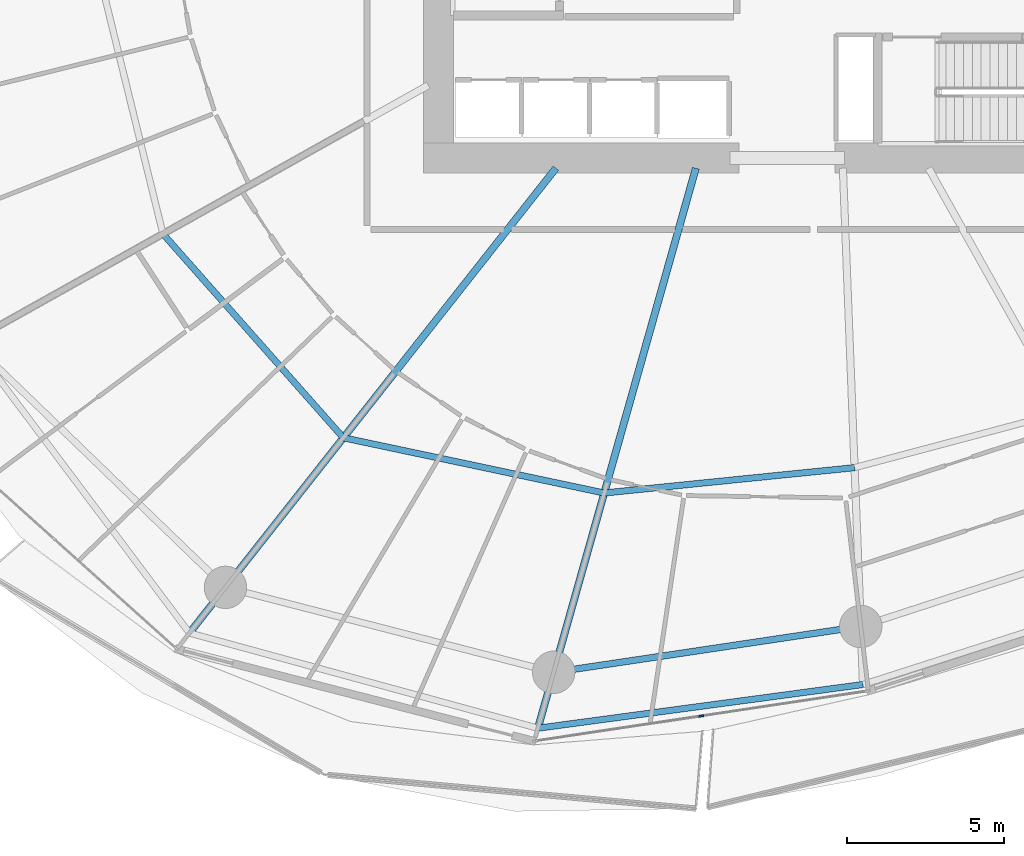
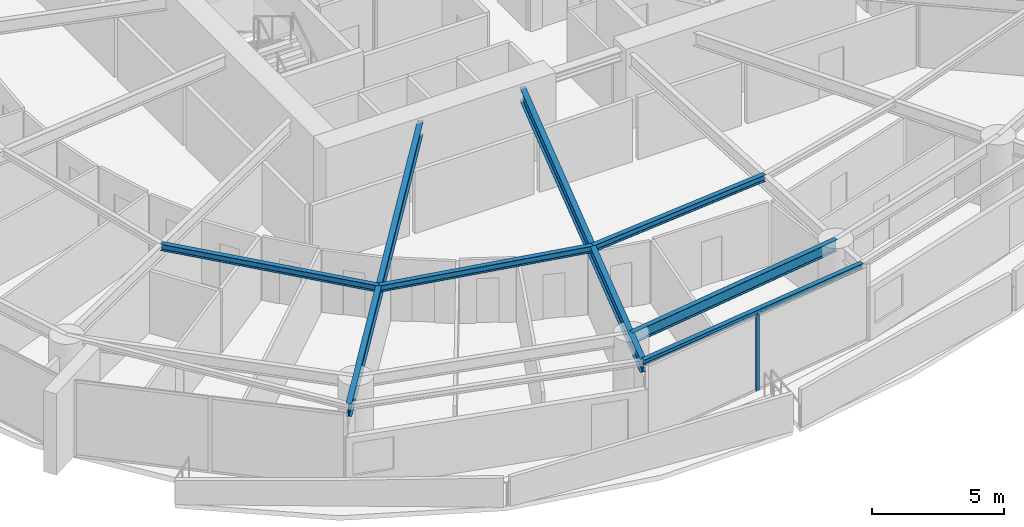
# One storey, part 8 of 31: 7 beams, 1 member, 1 element without a shape of its own.
"""IFC4 building model written with IfcOpenShell, lengths in metres."""

from ifc_helpers import new_model, si_unit, direction, frame, origin, origin_2d, place, context, subcontext, project, spatial, rectangle, i_section, extrude, material, layer, layer_set, material_profile, profile_set, type_object, element, aggregate, save


model = new_model("IFC4")

# Units and contexts
model_context = context("Model", 3, precision=1e-05, world=origin(), true_north=direction((0.0, 1.0)))
body_context = subcontext(model_context, "Body", "Model", "MODEL_VIEW")
ifc_project = project(units=[si_unit("LENGTHUNIT", "METRE"), si_unit("AREAUNIT", "SQUARE_METRE"), si_unit("VOLUMEUNIT", "CUBIC_METRE"), si_unit("PLANEANGLEUNIT", "RADIAN"), si_unit("MASSUNIT", "GRAM", prefix="KILO")], contexts=[model_context])

# Site, building, storey
site_placement = place(None, origin())
site = spatial("IfcSite", under=ifc_project, at=site_placement, CompositionType="ELEMENT")
building_placement = place(site_placement, origin())
building = spatial("IfcBuilding", under=site, at=building_placement, Name="Kazma Halo Residences", CompositionType="ELEMENT")
storey_placement = place(building_placement, frame((0.0, 0.0, 45.14990234375)))
storey = spatial("IfcBuildingStorey", under=building, at=storey_placement, Name="L10", CompositionType="ELEMENT", Elevation=45.14990234375)

# Beams
ifc_material_1 = material(Name="Steel S355", Category="steel")
ifc_material_profile_1 = material_profile(ifc_material_1, i_section(OverallWidth=0.201904296875, OverallDepth=0.2470703125, WebThickness=0.00732421875, FlangeThickness=0.010986328125, FilletRadius=0.011962890625, at=origin_2d()), Name="W250x49.1")
ifc_profile_set_1 = profile_set([ifc_material_profile_1], Name="Steel S355")
beam_type_1 = type_object("IfcBeamType", Name="BM-BAL-CANT", PredefinedType="BEAM", material=ifc_profile_set_1)
beam_1_placement = place(storey_placement, frame((40.489501953125, 15.3701171875, 3.376708984375), z_axis=(0.991080087388, 0.133267626912, 0.0), x_axis=(-0.133267626912, 0.991080087388, 0.0)))
element("IfcBeam", 1, at=beam_1_placement, inside=storey, type_object=beam_type_1, Name="L10 wave-balcony tie beam 11", PredefinedType="BEAM", context=body_context, shape_type="SweptSolid", body=[
    extrude(i_section(OverallWidth=0.201904296875, OverallDepth=0.2470703125, WebThickness=0.00732421875, FlangeThickness=0.010986328125, FilletRadius=0.011962890625, at=origin_2d()), origin(), (0.0, 0.0, 1.0), 10.444091796875),
])
ifc_material_profile_2 = material_profile(ifc_material_1, i_section(OverallWidth=0.22802734375, OverallDepth=0.60791015625, WebThickness=0.01123046875, FlangeThickness=0.017333984375, FilletRadius=0.01806640625, at=origin_2d()), Name="W610x113")
ifc_profile_set_2 = profile_set([ifc_material_profile_2], Name="Steel S355")
beam_type_2 = type_object("IfcBeamType", Name="BM-RAD-W610", PredefinedType="BEAM", material=ifc_profile_set_2)
beam_2_placement = place(storey_placement, frame((41.0625, 33.199951171875, 3.196044921875), z_axis=(-0.619092154321, -0.785318345932, 0.0), x_axis=(0.785318345932, -0.619092154321, 0.0)))
element("IfcBeam", 2, at=beam_2_placement, inside=storey, type_object=beam_type_2, Name="L10 radial floor beam 10", PredefinedType="BEAM", context=body_context, shape_type="SweptSolid", body=[
    extrude(i_section(OverallWidth=0.22802734375, OverallDepth=0.60791015625, WebThickness=0.01123046875, FlangeThickness=0.017333984375, FilletRadius=0.01806640625, at=origin_2d()), origin(), (0.0, 0.0, 1.0), 18.84375),
])
beam_3_placement = place(storey_placement, frame((45.51806640625, 33.199951171875, 3.196044921875), z_axis=(-0.271442010129, -0.962454796412, 0.0), x_axis=(0.962454796412, -0.271442010129, 0.0)))
element("IfcBeam", 3, at=beam_3_placement, inside=storey, type_object=beam_type_2, Name="L10 radial floor beam 11", PredefinedType="BEAM", context=body_context, shape_type="SweptSolid", body=[
    extrude(i_section(OverallWidth=0.22802734375, OverallDepth=0.60791015625, WebThickness=0.01123046875, FlangeThickness=0.017333984375, FilletRadius=0.01806640625, at=origin_2d()), origin(), (0.0, 0.0, 1.0), 18.525390625),
])
ifc_material_profile_3 = material_profile(ifc_material_1, i_section(OverallWidth=0.202880859375, OverallDepth=0.302978515625, WebThickness=0.007568359375, FlangeThickness=0.01318359375, FilletRadius=0.013916015625, at=origin_2d()), Name="W310x60")
ifc_profile_set_3 = profile_set([ifc_material_profile_3], Name="Steel S355")
beam_type_3 = type_object("IfcBeamType", Name="BM-SEC-W310A", PredefinedType="JOIST", material=ifc_profile_set_3)
beam_4_placement = place(storey_placement, frame((28.55224609375, 31.10888671875, 3.3486328125), z_axis=(0.662640120169, -0.748937962146, 0.0), x_axis=(0.748937962146, 0.662640120169, 0.0)))
element("IfcBeam", 4, at=beam_4_placement, inside=storey, type_object=beam_type_3, Name="L10 circumferential floor joist 09", PredefinedType="JOIST", context=body_context, shape_type="SweptSolid", body=[
    extrude(i_section(OverallWidth=0.202880859375, OverallDepth=0.302978515625, WebThickness=0.007568359375, FlangeThickness=0.01318359375, FilletRadius=0.013916015625, at=origin_2d()), origin(), (0.0, 0.0, 1.0), 8.668212890625),
])
beam_5_placement = place(storey_placement, frame((34.296142578125, 24.616943359375, 3.3486328125), z_axis=(0.97831665719, -0.207114746615, 0.0), x_axis=(0.207114746615, 0.97831665719, 0.0)))
element("IfcBeam", 5, at=beam_5_placement, inside=storey, type_object=beam_type_3, Name="L10 circumferential floor joist 10", PredefinedType="JOIST", context=body_context, shape_type="SweptSolid", body=[
    extrude(i_section(OverallWidth=0.202880859375, OverallDepth=0.302978515625, WebThickness=0.007568359375, FlangeThickness=0.01318359375, FilletRadius=0.013916015625, at=origin_2d()), origin(), (0.0, 0.0, 1.0), 8.489501953125),
])
beam_6_placement = place(storey_placement, frame((42.6015625, 22.858642578125, 3.3486328125), z_axis=(0.994907811148, 0.100789123008, 0.0), x_axis=(-0.100789123008, 0.994907811148, 0.0)))
element("IfcBeam", 6, at=beam_6_placement, inside=storey, type_object=beam_type_3, Name="L10 circumferential floor joist 11", PredefinedType="JOIST", context=body_context, shape_type="SweptSolid", body=[
    extrude(i_section(OverallWidth=0.202880859375, OverallDepth=0.302978515625, WebThickness=0.007568359375, FlangeThickness=0.01318359375, FilletRadius=0.013916015625, at=origin_2d()), origin(), (0.0, 0.0, 1.0), 8.010498046875),
])
ifc_material_profile_4 = material_profile(ifc_material_1, i_section(OverallWidth=0.208984375, OverallDepth=0.532958984375, WebThickness=0.01025390625, FlangeThickness=0.015625, FilletRadius=0.01611328125, at=origin_2d()), Name="W530x92")
ifc_profile_set_4 = profile_set([ifc_material_profile_4], Name="Steel S355")
beam_type_4 = type_object("IfcBeamType", Name="BM-SPN-W530", PredefinedType="BEAM", material=ifc_profile_set_4)
beam_7_placement = place(storey_placement, frame((40.99169921875, 17.150634765625, 3.233642578125), z_axis=(0.989033061974, 0.147694286693, 0.0), x_axis=(-0.147694286693, 0.989033061974, 0.0)))
element("IfcBeam", 7, at=beam_7_placement, inside=storey, type_object=beam_type_4, Name="L10 perimeter ring beam 11", PredefinedType="BEAM", context=body_context, shape_type="SweptSolid", body=[
    extrude(i_section(OverallWidth=0.208984375, OverallDepth=0.532958984375, WebThickness=0.01025390625, FlangeThickness=0.015625, FilletRadius=0.01611328125, at=origin_2d()), origin(), (0.0, 0.0, 1.0), 9.885009765625),
])

# Curtain wall, member
ifc_material_2 = material(Name="Aluminium AW-6063 T6 and Triple-Silver Low-E Glass", Category="aluminium")
ifc_layer = layer(ifc_material_2, 0.159912109375)
ifc_layer_set = layer_set([ifc_layer], Name="Aluminium AW-6063 T6 and Triple-Silver Low-E Glass")
curtain_wall_type = type_object("IfcCurtainWallType", Name="CW-SYS-2", PredefinedType="NOTDEFINED", material=ifc_layer_set)
curtain_wall_placement = place(storey_placement, origin())
curtain_wall = element("IfcCurtainWall", 8, at=curtain_wall_placement, inside=storey, type_object=curtain_wall_type, Name="L10 unitised curtain wall B11", PredefinedType="NOTDEFINED")
ifc_material_3 = material(Name="Aluminium AW-6063 T6", Category="aluminium")
ifc_material_profile_5 = material_profile(ifc_material_3, rectangle(XDim=0.06005859375, YDim=0.159912109375, at=origin_2d()), Name="CWM-60x160")
ifc_profile_set_5 = profile_set([ifc_material_profile_5], Name="Aluminium AW-6063 T6")
member_type = type_object("IfcMemberType", Name="CW-SYS-2-MUL", PredefinedType="MULLION", material=ifc_profile_set_5)
member_placement = place(storey_placement, frame((45.6923828125, 15.75732421875, 0.0), z_axis=(0.0, 0.0, 1.0), x_axis=(-0.148657272805, 0.988888777994, 0.0)))
member = element("IfcMember", 9, at=member_placement, type_object=member_type, Name="CWS-2 mullion 2", PredefinedType="MULLION", context=body_context, shape_type="SweptSolid", body=[
    extrude(rectangle(XDim=0.06005859375, YDim=0.159912109375, at=origin_2d()), origin(), (0.0, 0.0, 1.0), 3.5),
])
aggregate(curtain_wall, [member])

save(model, "model.ifc")
